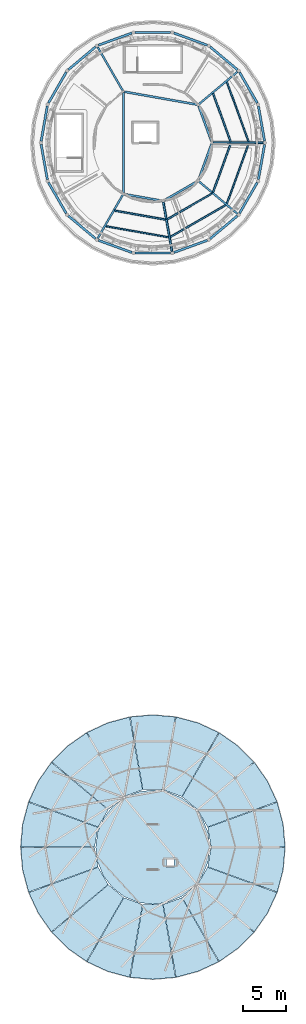
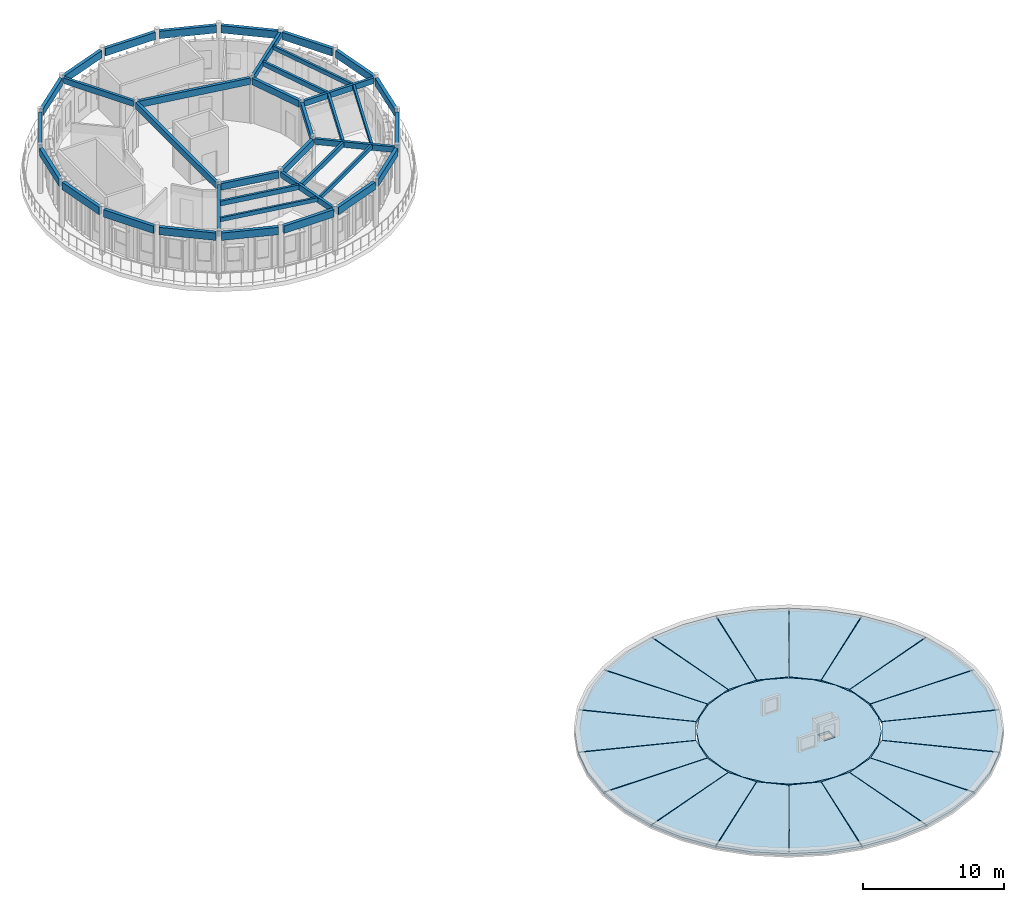
# One storey, part 3 of 14: 38 beams, 19 slabs.
"""IFC4 building model written with IfcOpenShell, lengths in metres."""

from ifc_helpers import new_model, si_unit, direction, frame, origin, origin_2d, place, context, subcontext, project, spatial, polyline, rectangle, outline, extrude, material, layer, layer_set, material_profile, profile_set, type_object, element, save


model = new_model("IFC4")

# Units and contexts
model_context = context("Model", 3, precision=1e-05, world=origin(), true_north=direction((0.0, 1.0)))
body_context = subcontext(model_context, "Body", "Model", "MODEL_VIEW")
ifc_project = project(units=[si_unit("LENGTHUNIT", "METRE"), si_unit("AREAUNIT", "SQUARE_METRE"), si_unit("VOLUMEUNIT", "CUBIC_METRE"), si_unit("PLANEANGLEUNIT", "RADIAN"), si_unit("MASSUNIT", "GRAM", prefix="KILO")], contexts=[model_context])

# Site, building, storey
site_placement = place(None, origin())
site = spatial("IfcSite", under=ifc_project, at=site_placement, CompositionType="ELEMENT")
building_placement = place(site_placement, origin())
building = spatial("IfcBuilding", under=site, at=building_placement, Name="Aldenvaro Health Centre", CompositionType="ELEMENT")
storey_placement = place(building_placement, frame((0.0, 0.0, 21.35009765625)))
storey = spatial("IfcBuildingStorey", under=building, at=storey_placement, Name="L05", CompositionType="ELEMENT", Elevation=21.35009765625)

# Beams
ifc_material_1 = material(Name="Glulam GL28h", Category="wood")
ifc_material_profile_1 = material_profile(ifc_material_1, rectangle(XDim=0.175048828125, YDim=0.35009765625, at=origin_2d()), Name="GL 175x350", Category="wood")
ifc_profile_set_1 = profile_set([ifc_material_profile_1], Name="Glulam GL28h")
beam_type_1 = type_object("IfcBeamType", Name="BM-GL-350", PredefinedType="JOIST", material=ifc_profile_set_1)
beam_1_placement = place(storey_placement, frame((29.51904296875, 99.60107421875, 3.784912109375), z_axis=(-0.341985813082, 0.939705115263, 0.0), x_axis=(-0.939705115263, -0.341985813082, 0.0)))
element("IfcBeam", 1, at=beam_1_placement, inside=storey, type_object=beam_type_1, Name="D4 L05 secondary joist 01.2", PredefinedType="JOIST", context=body_context, shape_type="SweptSolid", body=[
    extrude(rectangle(XDim=0.175048828125, YDim=0.35009765625, at=origin_2d()), origin(), (0.0, 0.0, 1.0), 7.34814453125),
])
beam_2_placement = place(storey_placement, frame((13.077880859375, 89.906982421875, 3.784912109375), z_axis=(0.984808635893, -0.173643170525, 0.0), x_axis=(0.173643170525, 0.984808635893, 0.0)))
element("IfcBeam", 2, at=beam_2_placement, inside=storey, type_object=beam_type_1, Name="D4 L05 secondary joist 04.2", PredefinedType="JOIST", context=body_context, shape_type="SweptSolid", body=[
    extrude(rectangle(XDim=0.175048828125, YDim=0.35009765625, at=origin_2d()), origin(), (0.0, 0.0, 1.0), 7.34765625),
])
beam_3_placement = place(storey_placement, frame((20.512939453125, 88.666015625, 3.784912109375), z_axis=(0.866036760986, 0.499980328234, 0.0), x_axis=(-0.499980328234, 0.866036760986, 0.0)))
element("IfcBeam", 3, at=beam_3_placement, inside=storey, type_object=beam_type_1, Name="D4 L05 secondary joist 05.2", PredefinedType="JOIST", context=body_context, shape_type="SweptSolid", body=[
    extrude(rectangle(XDim=0.175048828125, YDim=0.35009765625, at=origin_2d()), origin(), (0.0, 0.0, 1.0), 7.348388671875),
])
beam_4_placement = place(storey_placement, frame((27.006103515625, 92.493896484375, 3.784912109375), z_axis=(0.341985813082, 0.939705115263, 0.0), x_axis=(-0.939705115263, 0.341985813082, 0.0)))
element("IfcBeam", 4, at=beam_4_placement, inside=storey, type_object=beam_type_1, Name="D4 L05 secondary joist 06.2", PredefinedType="JOIST", context=body_context, shape_type="SweptSolid", body=[
    extrude(rectangle(XDim=0.175048828125, YDim=0.35009765625, at=origin_2d()), origin(), (0.0, 0.0, 1.0), 7.34814453125),
])
ifc_material_profile_2 = material_profile(ifc_material_1, rectangle(XDim=0.18994140625, YDim=0.41796875, at=origin_2d()), Name="GL 190x418", Category="wood")
ifc_profile_set_2 = profile_set([ifc_material_profile_2], Name="Glulam GL28h")
beam_type_2 = type_object("IfcBeamType", Name="BM-GL-418", PredefinedType="JOIST", material=ifc_profile_set_2)
beam_5_placement = place(storey_placement, frame((27.451904296875, 99.60107421875, 3.7509765625), z_axis=(-0.341921455433, 0.939728534373, 0.0), x_axis=(-0.939728534373, -0.341921455433, 0.0)))
element("IfcBeam", 5, at=beam_5_placement, inside=storey, type_object=beam_type_2, Name="D4 L05 secondary joist 01.1", PredefinedType="JOIST", context=body_context, shape_type="SweptSolid", body=[
    extrude(rectangle(XDim=0.18994140625, YDim=0.41796875, at=origin_2d()), origin(), (0.0, 0.0, 1.0), 5.93359375),
])
beam_6_placement = place(storey_placement, frame((14.111083984375, 91.697021484375, 3.7509765625), z_axis=(0.98479184112, -0.173738394329, 0.0), x_axis=(0.173738394329, 0.98479184112, 0.0)))
element("IfcBeam", 6, at=beam_6_placement, inside=storey, type_object=beam_type_2, Name="D4 L05 secondary joist 04.1", PredefinedType="JOIST", context=body_context, shape_type="SweptSolid", body=[
    extrude(rectangle(XDim=0.18994140625, YDim=0.41796875, at=origin_2d()), origin(), (0.0, 0.0, 1.0), 5.934326171875),
])
beam_7_placement = place(storey_placement, frame((20.154052734375, 90.700927734375, 3.7509765625), z_axis=(0.866019093774, 0.5000109291, 0.0), x_axis=(-0.5000109291, 0.866019093774, 0.0)))
element("IfcBeam", 7, at=beam_7_placement, inside=storey, type_object=beam_type_2, Name="D4 L05 secondary joist 05.1", PredefinedType="JOIST", context=body_context, shape_type="SweptSolid", body=[
    extrude(rectangle(XDim=0.18994140625, YDim=0.41796875, at=origin_2d()), origin(), (0.0, 0.0, 1.0), 5.933837890625),
])
beam_8_placement = place(storey_placement, frame((25.423095703125, 93.822998046875, 3.7509765625), z_axis=(0.341921455433, 0.939728534373, 0.0), x_axis=(-0.939728534373, 0.341921455433, 0.0)))
element("IfcBeam", 8, at=beam_8_placement, inside=storey, type_object=beam_type_2, Name="D4 L05 secondary joist 06.1", PredefinedType="JOIST", context=body_context, shape_type="SweptSolid", body=[
    extrude(rectangle(XDim=0.18994140625, YDim=0.41796875, at=origin_2d()), origin(), (0.0, 0.0, 1.0), 5.93359375),
])
ifc_material_profile_3 = material_profile(ifc_material_1, rectangle(XDim=0.215087890625, YDim=0.493896484375, at=origin_2d()), Name="GL 215x494", Category="wood")
ifc_profile_set_3 = profile_set([ifc_material_profile_3], Name="Glulam GL28h")
beam_type_3 = type_object("IfcBeamType", Name="BM-GL-494", PredefinedType="BEAM", material=ifc_profile_set_3)
beam_9_placement = place(storey_placement, frame((25.43310546875, 99.5, 3.712890625), z_axis=(1.0, 0.0, 0.0), x_axis=(0.0, 1.0, 0.0)))
element("IfcBeam", 9, at=beam_9_placement, inside=storey, type_object=beam_type_3, Name="D4 L05 radial beam 01", PredefinedType="BEAM", context=body_context, shape_type="SweptSolid", body=[
    extrude(rectangle(XDim=0.215087890625, YDim=0.493896484375, at=origin_2d()), origin(), (0.0, 0.0, 1.0), 5.7568359375),
])
beam_10_placement = place(storey_placement, frame((23.81103515625, 103.9560546875, 3.712890625), z_axis=(0.765995508423, 0.642845923279, 0.0), x_axis=(-0.642845923279, 0.765995508423, 0.0)))
element("IfcBeam", 10, at=beam_10_placement, inside=storey, type_object=beam_type_3, Name="D4 L05 radial beam 02", PredefinedType="BEAM", context=body_context, shape_type="SweptSolid", body=[
    extrude(rectangle(XDim=0.215087890625, YDim=0.493896484375, at=origin_2d()), origin(), (0.0, 0.0, 1.0), 5.757080078125),
])
for number, where, z_axis, x_axis, name in (
    (11, (15.033935546875, 105.50390625, 3.712890625), (-0.500098118148, 0.865968747834, 0.0), (-0.865968747834, -0.500098118148, 0.0), "D4 L05 radial beam 03"),
    (12, (15.033935546875, 93.49609375, 3.712890625), (-0.500098118148, -0.865968747834, 0.0), (0.865968747834, -0.500098118148, 0.0), "D4 L05 radial beam 04"),
):
    element("IfcBeam", number, at=place(storey_placement, frame(where, z_axis=z_axis, x_axis=x_axis)), inside=storey, type_object=beam_type_3, Name=name, PredefinedType="BEAM", context=body_context, shape_type="SweptSolid", body=[
        extrude(rectangle(XDim=0.215087890625, YDim=0.493896484375, at=origin_2d()), origin(), (0.0, 0.0, 1.0), 5.756591796875),
    ])
beam_11_placement = place(storey_placement, frame((19.7041015625, 92.673095703125, 3.712890625), z_axis=(0.173681318347, -0.984801908841, 0.0), x_axis=(0.984801908841, 0.173681318347, 0.0)))
element("IfcBeam", 13, at=beam_11_placement, inside=storey, type_object=beam_type_3, Name="D4 L05 radial beam 05", PredefinedType="BEAM", context=body_context, shape_type="SweptSolid", body=[
    extrude(rectangle(XDim=0.215087890625, YDim=0.493896484375, at=origin_2d()), origin(), (0.0, 0.0, 1.0), 5.757568359375),
])
beam_12_placement = place(storey_placement, frame((23.81103515625, 95.0439453125, 3.712890625), z_axis=(0.765995508423, -0.642845923279, 0.0), x_axis=(0.642845923279, 0.765995508423, 0.0)))
element("IfcBeam", 14, at=beam_12_placement, inside=storey, type_object=beam_type_3, Name="D4 L05 radial beam 06", PredefinedType="BEAM", context=body_context, shape_type="SweptSolid", body=[
    extrude(rectangle(XDim=0.215087890625, YDim=0.493896484375, at=origin_2d()), origin(), (0.0, 0.0, 1.0), 5.757080078125),
])
ifc_material_profile_4 = material_profile(ifc_material_1, rectangle(XDim=0.239990234375, YDim=0.570068359375, at=origin_2d()), Name="GL 240x570", Category="wood")
ifc_profile_set_4 = profile_set([ifc_material_profile_4], Name="Glulam GL28h")
beam_type_4 = type_object("IfcBeamType", Name="BM-GL-570", PredefinedType="BEAM", material=ifc_profile_set_4)
beam_13_placement = place(storey_placement, frame((25.2548828125, 99.625, 3.6748046875), z_axis=(-0.34222571507, 0.939617773323, 0.0), x_axis=(-0.939617773323, -0.34222571507, 0.0)))
element("IfcBeam", 15, at=beam_13_placement, inside=storey, type_object=beam_type_4, Name="D4 L05 inner ring beam 01", PredefinedType="BEAM", context=body_context, shape_type="SweptSolid", body=[
    extrude(rectangle(XDim=0.239990234375, YDim=0.570068359375, at=origin_2d()), origin(), (0.0, 0.0, 1.0), 4.385986328125),
])
beam_14_placement = place(storey_placement, frame((23.5791015625, 103.89404296875, 3.6748046875), z_axis=(-0.984812825398, 0.173619408279, 0.0), x_axis=(-0.173619408279, -0.984812825398, 0.0)))
element("IfcBeam", 16, at=beam_14_placement, inside=storey, type_object=beam_type_4, Name="D4 L05 inner ring beam 02", PredefinedType="BEAM", context=body_context, shape_type="SweptSolid", body=[
    extrude(rectangle(XDim=0.239990234375, YDim=0.570068359375, at=origin_2d()), origin(), (0.0, 0.0, 1.0), 8.477783203125),
])
beam_15_placement = place(storey_placement, frame((15.10009765625, 105.257080078125, 3.6748046875), z_axis=(0.0, -1.0, 0.0), x_axis=(1.0, 0.0, 0.0)))
element("IfcBeam", 17, at=beam_15_placement, inside=storey, type_object=beam_type_4, Name="D4 L05 inner ring beam 03", PredefinedType="BEAM", context=body_context, shape_type="SweptSolid", body=[
    extrude(rectangle(XDim=0.239990234375, YDim=0.570068359375, at=origin_2d()), origin(), (0.0, 0.0, 1.0), 11.51416015625),
])
beam_16_placement = place(storey_placement, frame((15.22998046875, 93.587890625, 3.6748046875), z_axis=(0.984805956766, -0.173658364375, 0.0), x_axis=(0.173658364375, 0.984805956766, 0.0)))
element("IfcBeam", 18, at=beam_16_placement, inside=storey, type_object=beam_type_4, Name="D4 L05 inner ring beam 04", PredefinedType="BEAM", context=body_context, shape_type="SweptSolid", body=[
    extrude(rectangle(XDim=0.239990234375, YDim=0.570068359375, at=origin_2d()), origin(), (0.0, 0.0, 1.0), 4.3876953125),
])
beam_17_placement = place(storey_placement, frame((19.7958984375, 92.868896484375, 3.6748046875), z_axis=(0.865900968659, 0.50021546605, 0.0), x_axis=(-0.50021546605, 0.865900968659, 0.0)))
element("IfcBeam", 19, at=beam_17_placement, inside=storey, type_object=beam_type_4, Name="D4 L05 inner ring beam 05", PredefinedType="BEAM", context=body_context, shape_type="SweptSolid", body=[
    extrude(rectangle(XDim=0.239990234375, YDim=0.570068359375, at=origin_2d()), origin(), (0.0, 0.0, 1.0), 4.38623046875),
])
beam_18_placement = place(storey_placement, frame((23.75390625, 95.25390625, 3.6748046875), z_axis=(0.34222571507, 0.939617773323, 0.0), x_axis=(-0.939617773323, 0.34222571507, 0.0)))
element("IfcBeam", 20, at=beam_18_placement, inside=storey, type_object=beam_type_4, Name="D4 L05 inner ring beam 06", PredefinedType="BEAM", context=body_context, shape_type="SweptSolid", body=[
    extrude(rectangle(XDim=0.239990234375, YDim=0.570068359375, at=origin_2d()), origin(), (0.0, 0.0, 1.0), 4.385986328125),
])
ifc_material_profile_5 = material_profile(ifc_material_1, rectangle(XDim=0.264892578125, YDim=0.64599609375, at=origin_2d()), Name="GL 265x646", Category="wood")
ifc_profile_set_5 = profile_set([ifc_material_profile_5], Name="Glulam GL28h")
beam_type_5 = type_object("IfcBeamType", Name="BM-GL-646", PredefinedType="SPANDREL", material=ifc_profile_set_5)
beam_19_placement = place(storey_placement, frame((31.346923828125, 99.68701171875, 3.636962890625), z_axis=(-0.173686658353, 0.984800967054, 0.0), x_axis=(-0.984800967054, -0.173686658353, 0.0)))
element("IfcBeam", 21, at=beam_19_placement, inside=storey, type_object=beam_type_5, Name="D4 L05 perimeter spandrel 01", PredefinedType="SPANDREL", context=body_context, shape_type="SweptSolid", body=[
    extrude(rectangle(XDim=0.264892578125, YDim=0.64599609375, at=origin_2d()), origin(), (0.0, 0.0, 1.0), 4.09326171875),
])
beam_20_placement = place(storey_placement, frame((30.508056640625, 104.070068359375, 3.636962890625), z_axis=(-0.50000821031, 0.866020663508, 0.0), x_axis=(-0.866020663508, -0.50000821031, 0.0)))
element("IfcBeam", 22, at=beam_20_placement, inside=storey, type_object=beam_type_5, Name="D4 L05 perimeter spandrel 02", PredefinedType="SPANDREL", context=body_context, shape_type="SweptSolid", body=[
    extrude(rectangle(XDim=0.264892578125, YDim=0.64599609375, at=origin_2d()), origin(), (0.0, 0.0, 1.0), 4.09228515625),
])
beam_21_placement = place(storey_placement, frame((28.220947265625, 107.90087890625, 3.636962890625), z_axis=(-0.765982121715, 0.642861874132, 0.0), x_axis=(-0.642861874132, -0.765982121715, 0.0)))
element("IfcBeam", 23, at=beam_21_placement, inside=storey, type_object=beam_type_5, Name="D4 L05 perimeter spandrel 03", PredefinedType="SPANDREL", context=body_context, shape_type="SweptSolid", body=[
    extrude(rectangle(XDim=0.264892578125, YDim=0.64599609375, at=origin_2d()), origin(), (0.0, 0.0, 1.0), 4.0927734375),
])
beam_22_placement = place(storey_placement, frame((24.760986328125, 110.718994140625, 3.636962890625), z_axis=(-0.939657470743, 0.342116701838, 0.0), x_axis=(-0.342116701838, -0.939657470743, 0.0)))
element("IfcBeam", 24, at=beam_22_placement, inside=storey, type_object=beam_type_5, Name="D4 L05 perimeter spandrel 04", PredefinedType="SPANDREL", context=body_context, shape_type="SweptSolid", body=[
    extrude(rectangle(XDim=0.264892578125, YDim=0.64599609375, at=origin_2d()), origin(), (0.0, 0.0, 1.0), 4.091796875),
])
beam_23_placement = place(storey_placement, frame((20.547119140625, 112.18408203125, 3.636962890625), z_axis=(-1.0, 0.0, 0.0), x_axis=(0.0, -1.0, 0.0)))
element("IfcBeam", 25, at=beam_23_placement, inside=storey, type_object=beam_type_5, Name="D4 L05 perimeter spandrel 05", PredefinedType="SPANDREL", context=body_context, shape_type="SweptSolid", body=[
    extrude(rectangle(XDim=0.264892578125, YDim=0.64599609375, at=origin_2d()), origin(), (0.0, 0.0, 1.0), 4.09423828125),
])
beam_24_placement = place(storey_placement, frame((16.083984375, 112.118896484375, 3.636962890625), z_axis=(-0.939657470743, -0.342116701838, 0.0), x_axis=(0.342116701838, -0.939657470743, 0.0)))
element("IfcBeam", 26, at=beam_24_placement, inside=storey, type_object=beam_type_5, Name="D4 L05 perimeter spandrel 06", PredefinedType="SPANDREL", context=body_context, shape_type="SweptSolid", body=[
    extrude(rectangle(XDim=0.264892578125, YDim=0.64599609375, at=origin_2d()), origin(), (0.0, 0.0, 1.0), 4.091796875),
])
beam_25_placement = place(storey_placement, frame((11.9140625, 110.531982421875, 3.636962890625), z_axis=(-0.765982121715, -0.642861874132, 0.0), x_axis=(0.642861874132, -0.765982121715, 0.0)))
element("IfcBeam", 27, at=beam_25_placement, inside=storey, type_object=beam_type_5, Name="D4 L05 perimeter spandrel 07", PredefinedType="SPANDREL", context=body_context, shape_type="SweptSolid", body=[
    extrude(rectangle(XDim=0.264892578125, YDim=0.64599609375, at=origin_2d()), origin(), (0.0, 0.0, 1.0), 4.0927734375),
])
beam_26_placement = place(storey_placement, frame((8.5380859375, 107.614013671875, 3.636962890625), z_axis=(-0.50000821031, -0.866020663508, 0.0), x_axis=(0.866020663508, -0.50000821031, 0.0)))
element("IfcBeam", 28, at=beam_26_placement, inside=storey, type_object=beam_type_5, Name="D4 L05 perimeter spandrel 08", PredefinedType="SPANDREL", context=body_context, shape_type="SweptSolid", body=[
    extrude(rectangle(XDim=0.264892578125, YDim=0.64599609375, at=origin_2d()), origin(), (0.0, 0.0, 1.0), 4.09228515625),
])
for number, where, z_axis, x_axis, name in (
    (29, (6.364013671875, 103.718017578125, 3.636962890625), (-0.173686658353, -0.984800967054, 0.0), (0.984800967054, -0.173686658353, 0.0), "D4 L05 perimeter spandrel 09"),
    (30, (5.653076171875, 99.31298828125, 3.636962890625), (0.173686658353, -0.984800967054, 0.0), (0.984800967054, 0.173686658353, 0.0), "D4 L05 perimeter spandrel 10"),
):
    element("IfcBeam", number, at=place(storey_placement, frame(where, z_axis=z_axis, x_axis=x_axis)), inside=storey, type_object=beam_type_5, Name=name, PredefinedType="SPANDREL", context=body_context, shape_type="SweptSolid", body=[
        extrude(rectangle(XDim=0.264892578125, YDim=0.64599609375, at=origin_2d()), origin(), (0.0, 0.0, 1.0), 4.09326171875),
    ])
beam_27_placement = place(storey_placement, frame((6.491943359375, 94.929931640625, 3.636962890625), z_axis=(0.50000821031, -0.866020663508, 0.0), x_axis=(0.866020663508, 0.50000821031, 0.0)))
element("IfcBeam", 31, at=beam_27_placement, inside=storey, type_object=beam_type_5, Name="D4 L05 perimeter spandrel 11", PredefinedType="SPANDREL", context=body_context, shape_type="SweptSolid", body=[
    extrude(rectangle(XDim=0.264892578125, YDim=0.64599609375, at=origin_2d()), origin(), (0.0, 0.0, 1.0), 4.09228515625),
])
beam_28_placement = place(storey_placement, frame((8.779052734375, 91.09912109375, 3.636962890625), z_axis=(0.765982121715, -0.642861874132, 0.0), x_axis=(0.642861874132, 0.765982121715, 0.0)))
element("IfcBeam", 32, at=beam_28_placement, inside=storey, type_object=beam_type_5, Name="D4 L05 perimeter spandrel 12", PredefinedType="SPANDREL", context=body_context, shape_type="SweptSolid", body=[
    extrude(rectangle(XDim=0.264892578125, YDim=0.64599609375, at=origin_2d()), origin(), (0.0, 0.0, 1.0), 4.0927734375),
])
beam_29_placement = place(storey_placement, frame((12.239013671875, 88.281005859375, 3.636962890625), z_axis=(0.939657470743, -0.342116701838, 0.0), x_axis=(0.342116701838, 0.939657470743, 0.0)))
element("IfcBeam", 33, at=beam_29_placement, inside=storey, type_object=beam_type_5, Name="D4 L05 perimeter spandrel 13", PredefinedType="SPANDREL", context=body_context, shape_type="SweptSolid", body=[
    extrude(rectangle(XDim=0.264892578125, YDim=0.64599609375, at=origin_2d()), origin(), (0.0, 0.0, 1.0), 4.091796875),
])
beam_30_placement = place(storey_placement, frame((16.452880859375, 86.81591796875, 3.636962890625), z_axis=(1.0, 0.0, 0.0), x_axis=(0.0, 1.0, 0.0)))
element("IfcBeam", 34, at=beam_30_placement, inside=storey, type_object=beam_type_5, Name="D4 L05 perimeter spandrel 14", PredefinedType="SPANDREL", context=body_context, shape_type="SweptSolid", body=[
    extrude(rectangle(XDim=0.264892578125, YDim=0.64599609375, at=origin_2d()), origin(), (0.0, 0.0, 1.0), 4.09423828125),
])
beam_31_placement = place(storey_placement, frame((20.916015625, 86.881103515625, 3.636962890625), z_axis=(0.939657470743, 0.342116701838, 0.0), x_axis=(-0.342116701838, 0.939657470743, 0.0)))
element("IfcBeam", 35, at=beam_31_placement, inside=storey, type_object=beam_type_5, Name="D4 L05 perimeter spandrel 15", PredefinedType="SPANDREL", context=body_context, shape_type="SweptSolid", body=[
    extrude(rectangle(XDim=0.264892578125, YDim=0.64599609375, at=origin_2d()), origin(), (0.0, 0.0, 1.0), 4.091796875),
])
beam_32_placement = place(storey_placement, frame((25.0859375, 88.468017578125, 3.636962890625), z_axis=(0.765982121715, 0.642861874132, 0.0), x_axis=(-0.642861874132, 0.765982121715, 0.0)))
element("IfcBeam", 36, at=beam_32_placement, inside=storey, type_object=beam_type_5, Name="D4 L05 perimeter spandrel 16", PredefinedType="SPANDREL", context=body_context, shape_type="SweptSolid", body=[
    extrude(rectangle(XDim=0.264892578125, YDim=0.64599609375, at=origin_2d()), origin(), (0.0, 0.0, 1.0), 4.0927734375),
])
beam_33_placement = place(storey_placement, frame((28.4619140625, 91.385986328125, 3.636962890625), z_axis=(0.50000821031, 0.866020663508, 0.0), x_axis=(-0.866020663508, 0.50000821031, 0.0)))
element("IfcBeam", 37, at=beam_33_placement, inside=storey, type_object=beam_type_5, Name="D4 L05 perimeter spandrel 17", PredefinedType="SPANDREL", context=body_context, shape_type="SweptSolid", body=[
    extrude(rectangle(XDim=0.264892578125, YDim=0.64599609375, at=origin_2d()), origin(), (0.0, 0.0, 1.0), 4.09228515625),
])
beam_34_placement = place(storey_placement, frame((30.635986328125, 95.281982421875, 3.636962890625), z_axis=(0.173686658353, 0.984800967054, 0.0), x_axis=(-0.984800967054, 0.173686658353, 0.0)))
element("IfcBeam", 38, at=beam_34_placement, inside=storey, type_object=beam_type_5, Name="D4 L05 perimeter spandrel 18", PredefinedType="SPANDREL", context=body_context, shape_type="SweptSolid", body=[
    extrude(rectangle(XDim=0.264892578125, YDim=0.64599609375, at=origin_2d()), origin(), (0.0, 0.0, 1.0), 4.09326171875),
])

# Slabs
ifc_material_2 = material(Name="Cross-laminated timber CLT E1", Category="wood")
ifc_layer = layer(ifc_material_2, 0.195068359375, Name="Cross-laminated timber CLT E1", Category="wood")
ifc_layer_set = layer_set([ifc_layer], Name="Cross-laminated timber CLT E1")
slab_type = type_object("IfcSlabType", Name="SLB-ROOF-195", PredefinedType="ROOF", material=ifc_layer_set)
slab_1_placement = place(storey_placement, frame((0.0, 0.0, 0.619873046875)))
element("IfcSlab", 39, at=slab_1_placement, inside=storey, type_object=slab_type, Name="D5 Overhanging Flat Roof Sector 01", PredefinedType="ROOF", context=body_context, shape_type="SweptSolid", body=[
    extrude(outline(polyline([(33.699951171875, 18.531982421875), (33.468994140625, 21.138916015625), (32.7939453125, 23.6689453125), (24.801025390625, 20.778076171875), (25.199951171875, 18.513916015625), (33.699951171875, 18.531982421875)])), origin(), (0.0, 0.0, 1.0), 0.195068359375),
])
slab_2_placement = place(storey_placement, frame((0.0, 0.0, 0.619873046875)))
element("IfcSlab", 40, at=slab_2_placement, inside=storey, type_object=slab_type, Name="D5 Overhanging Flat Roof Sector 02", PredefinedType="ROOF", context=body_context, shape_type="SweptSolid", body=[
    extrude(outline(polyline([(32.77197265625, 23.72900390625), (31.6640625, 26.10009765625), (30.1640625, 28.24609375), (23.64208984375, 22.7958984375), (24.791015625, 20.804931640625), (32.77197265625, 23.72900390625)])), origin(), (0.0, 0.0, 1.0), 0.195068359375),
])
slab_3_placement = place(storey_placement, frame((0.0, 0.0, 0.619873046875)))
element("IfcSlab", 41, at=slab_3_placement, inside=storey, type_object=slab_type, Name="D5 Overhanging Flat Roof Sector 03", PredefinedType="ROOF", context=body_context, shape_type="SweptSolid", body=[
    extrude(outline(polyline([(30.123046875, 28.294921875), (28.27001953125, 30.14404296875), (26.1279296875, 31.64794921875), (21.862060546875, 24.294921875), (23.623046875, 22.81689453125), (30.123046875, 28.294921875)])), origin(), (0.0, 0.0, 1.0), 0.195068359375),
])
slab_4_placement = place(storey_placement, frame((0.0, 0.0, 0.619873046875)))
element("IfcSlab", 42, at=slab_4_placement, inside=storey, type_object=slab_type, Name="D5 Overhanging Flat Roof Sector 04", PredefinedType="ROOF", context=body_context, shape_type="SweptSolid", body=[
    extrude(outline(polyline([(26.072998046875, 31.678955078125), (23.698974609375, 32.782958984375), (21.1708984375, 33.462890625), (19.677001953125, 25.095947265625), (21.837890625, 24.30908203125), (26.072998046875, 31.678955078125)])), origin(), (0.0, 0.0, 1.0), 0.195068359375),
])
slab_5_placement = place(storey_placement, frame((0.0, 0.0, 0.619873046875)))
element("IfcSlab", 43, at=slab_5_placement, inside=storey, type_object=slab_type, Name="D5 Overhanging Flat Roof Sector 05", PredefinedType="ROOF", context=body_context, shape_type="SweptSolid", body=[
    extrude(outline(polyline([(21.10791015625, 33.47509765625), (18.5, 33.699951171875), (15.89208984375, 33.47509765625), (17.35009765625, 25.10107421875), (19.64990234375, 25.10107421875), (21.10791015625, 33.47509765625)])), origin(), (0.0, 0.0, 1.0), 0.195068359375),
])
slab_6_placement = place(storey_placement, frame((0.0, 0.0, 0.619873046875)))
element("IfcSlab", 44, at=slab_6_placement, inside=storey, type_object=slab_type, Name="D5 Overhanging Flat Roof Sector 06", PredefinedType="ROOF", context=body_context, shape_type="SweptSolid", body=[
    extrude(outline(polyline([(15.8291015625, 33.462890625), (13.301025390625, 32.782958984375), (10.927001953125, 31.678955078125), (15.162109375, 24.30908203125), (17.322998046875, 25.095947265625), (15.8291015625, 33.462890625)])), origin(), (0.0, 0.0, 1.0), 0.195068359375),
])
slab_7_placement = place(storey_placement, frame((0.0, 0.0, 0.619873046875)))
element("IfcSlab", 45, at=slab_7_placement, inside=storey, type_object=slab_type, Name="D5 Overhanging Flat Roof Sector 07", PredefinedType="ROOF", context=body_context, shape_type="SweptSolid", body=[
    extrude(outline(polyline([(10.8720703125, 31.64794921875), (8.72998046875, 30.14404296875), (6.876953125, 28.294921875), (13.376953125, 22.81689453125), (15.137939453125, 24.294921875), (10.8720703125, 31.64794921875)])), origin(), (0.0, 0.0, 1.0), 0.195068359375),
])
slab_8_placement = place(storey_placement, frame((0.0, 0.0, 0.619873046875)))
element("IfcSlab", 46, at=slab_8_placement, inside=storey, type_object=slab_type, Name="D5 Overhanging Flat Roof Sector 08", PredefinedType="ROOF", context=body_context, shape_type="SweptSolid", body=[
    extrude(outline(polyline([(6.8359375, 28.24609375), (5.3359375, 26.10009765625), (4.22802734375, 23.72900390625), (12.208984375, 20.804931640625), (13.35791015625, 22.7958984375), (6.8359375, 28.24609375)])), origin(), (0.0, 0.0, 1.0), 0.195068359375),
])
slab_9_placement = place(storey_placement, frame((0.0, 0.0, 0.619873046875)))
element("IfcSlab", 47, at=slab_9_placement, inside=storey, type_object=slab_type, Name="D5 Overhanging Flat Roof Sector 09", PredefinedType="ROOF", context=body_context, shape_type="SweptSolid", body=[
    extrude(outline(polyline([(4.2060546875, 23.6689453125), (3.531005859375, 21.138916015625), (3.300048828125, 18.531982421875), (11.800048828125, 18.513916015625), (12.198974609375, 20.778076171875), (4.2060546875, 23.6689453125)])), origin(), (0.0, 0.0, 1.0), 0.195068359375),
])
slab_10_placement = place(storey_placement, frame((0.0, 0.0, 0.619873046875)))
element("IfcSlab", 48, at=slab_10_placement, inside=storey, type_object=slab_type, Name="D5 Overhanging Flat Roof Sector 10", PredefinedType="ROOF", context=body_context, shape_type="SweptSolid", body=[
    extrude(outline(polyline([(3.300048828125, 18.468017578125), (3.531005859375, 15.861083984375), (4.2060546875, 13.3310546875), (12.198974609375, 16.221923828125), (11.800048828125, 18.486083984375), (3.300048828125, 18.468017578125)])), origin(), (0.0, 0.0, 1.0), 0.195068359375),
])
slab_11_placement = place(storey_placement, frame((0.0, 0.0, 0.619873046875)))
element("IfcSlab", 49, at=slab_11_placement, inside=storey, type_object=slab_type, Name="D5 Overhanging Flat Roof Sector 11", PredefinedType="ROOF", context=body_context, shape_type="SweptSolid", body=[
    extrude(outline(polyline([(4.22802734375, 13.27099609375), (5.3359375, 10.89990234375), (6.8359375, 8.75390625), (13.35791015625, 14.2041015625), (12.208984375, 16.195068359375), (4.22802734375, 13.27099609375)])), origin(), (0.0, 0.0, 1.0), 0.195068359375),
])
slab_12_placement = place(storey_placement, frame((0.0, 0.0, 0.619873046875)))
element("IfcSlab", 50, at=slab_12_placement, inside=storey, type_object=slab_type, Name="D5 Overhanging Flat Roof Sector 12", PredefinedType="ROOF", context=body_context, shape_type="SweptSolid", body=[
    extrude(outline(polyline([(6.876953125, 8.705078125), (8.72998046875, 6.85595703125), (10.8720703125, 5.35205078125), (15.137939453125, 12.705078125), (13.376953125, 14.18310546875), (6.876953125, 8.705078125)])), origin(), (0.0, 0.0, 1.0), 0.195068359375),
])
slab_13_placement = place(storey_placement, frame((0.0, 0.0, 0.619873046875)))
element("IfcSlab", 51, at=slab_13_placement, inside=storey, type_object=slab_type, Name="D5 Overhanging Flat Roof Sector 13", PredefinedType="ROOF", context=body_context, shape_type="SweptSolid", body=[
    extrude(outline(polyline([(10.927001953125, 5.321044921875), (13.301025390625, 4.217041015625), (15.8291015625, 3.537109375), (17.322998046875, 11.904052734375), (15.162109375, 12.69091796875), (10.927001953125, 5.321044921875)])), origin(), (0.0, 0.0, 1.0), 0.195068359375),
])
slab_14_placement = place(storey_placement, frame((0.0, 0.0, 0.619873046875)))
element("IfcSlab", 52, at=slab_14_placement, inside=storey, type_object=slab_type, Name="D5 Overhanging Flat Roof Sector 14", PredefinedType="ROOF", context=body_context, shape_type="SweptSolid", body=[
    extrude(outline(polyline([(15.89208984375, 3.52490234375), (18.5, 3.300048828125), (21.10791015625, 3.52490234375), (19.64990234375, 11.89892578125), (17.35009765625, 11.89892578125), (15.89208984375, 3.52490234375)])), origin(), (0.0, 0.0, 1.0), 0.195068359375),
])
slab_15_placement = place(storey_placement, frame((0.0, 0.0, 0.619873046875)))
element("IfcSlab", 53, at=slab_15_placement, inside=storey, type_object=slab_type, Name="D5 Overhanging Flat Roof Sector 15", PredefinedType="ROOF", context=body_context, shape_type="SweptSolid", body=[
    extrude(outline(polyline([(21.1708984375, 3.537109375), (23.698974609375, 4.217041015625), (26.072998046875, 5.321044921875), (21.837890625, 12.69091796875), (19.677001953125, 11.904052734375), (21.1708984375, 3.537109375)])), origin(), (0.0, 0.0, 1.0), 0.195068359375),
])
slab_16_placement = place(storey_placement, frame((0.0, 0.0, 0.619873046875)))
element("IfcSlab", 54, at=slab_16_placement, inside=storey, type_object=slab_type, Name="D5 Overhanging Flat Roof Sector 16", PredefinedType="ROOF", context=body_context, shape_type="SweptSolid", body=[
    extrude(outline(polyline([(26.1279296875, 5.35205078125), (28.27001953125, 6.85595703125), (30.123046875, 8.705078125), (23.623046875, 14.18310546875), (21.862060546875, 12.705078125), (26.1279296875, 5.35205078125)])), origin(), (0.0, 0.0, 1.0), 0.195068359375),
])
slab_17_placement = place(storey_placement, frame((0.0, 0.0, 0.619873046875)))
element("IfcSlab", 55, at=slab_17_placement, inside=storey, type_object=slab_type, Name="D5 Overhanging Flat Roof Sector 17", PredefinedType="ROOF", context=body_context, shape_type="SweptSolid", body=[
    extrude(outline(polyline([(30.1640625, 8.75390625), (31.6640625, 10.89990234375), (32.77197265625, 13.27099609375), (24.791015625, 16.195068359375), (23.64208984375, 14.2041015625), (30.1640625, 8.75390625)])), origin(), (0.0, 0.0, 1.0), 0.195068359375),
])
slab_18_placement = place(storey_placement, frame((0.0, 0.0, 0.619873046875)))
element("IfcSlab", 56, at=slab_18_placement, inside=storey, type_object=slab_type, Name="D5 Overhanging Flat Roof Sector 18", PredefinedType="ROOF", context=body_context, shape_type="SweptSolid", body=[
    extrude(outline(polyline([(32.7939453125, 13.3310546875), (33.468994140625, 15.861083984375), (33.699951171875, 18.468017578125), (25.199951171875, 18.486083984375), (24.801025390625, 16.221923828125), (32.7939453125, 13.3310546875)])), origin(), (0.0, 0.0, 1.0), 0.195068359375),
])
slab_19_placement = place(storey_placement, frame((0.0, 0.0, 0.619873046875)))
element("IfcSlab", 57, at=slab_19_placement, inside=storey, type_object=slab_type, Name="D5 Central Flat Roof Deck", PredefinedType="ROOF", context=body_context, shape_type="SweptSolid", body=[
    extrude(outline(polyline([(25.080078125, 18.5), (24.85595703125, 20.202880859375), (24.197998046875, 21.7900390625), (23.153076171875, 23.153076171875), (21.7900390625, 24.197998046875), (20.202880859375, 24.85595703125), (18.5, 25.080078125), (16.797119140625, 24.85595703125), (15.2099609375, 24.197998046875), (13.846923828125, 23.153076171875), (12.802001953125, 21.7900390625), (12.14404296875, 20.202880859375), (11.919921875, 18.5), (12.14404296875, 16.797119140625), (12.802001953125, 15.2099609375), (13.846923828125, 13.846923828125), (15.2099609375, 12.802001953125), (16.797119140625, 12.14404296875), (18.5, 11.919921875), (20.202880859375, 12.14404296875), (21.7900390625, 12.802001953125), (23.153076171875, 13.846923828125), (24.197998046875, 15.2099609375), (24.85595703125, 16.797119140625), (25.080078125, 18.5)]), holes=[polyline([(20.050048828125, 16.179931640625), (20.050048828125, 17.080078125), (20.949951171875, 17.080078125), (20.949951171875, 16.179931640625), (20.050048828125, 16.179931640625)])]), origin(), (0.0, 0.0, 1.0), 0.195068359375),
])

save(model, "model.ifc")
